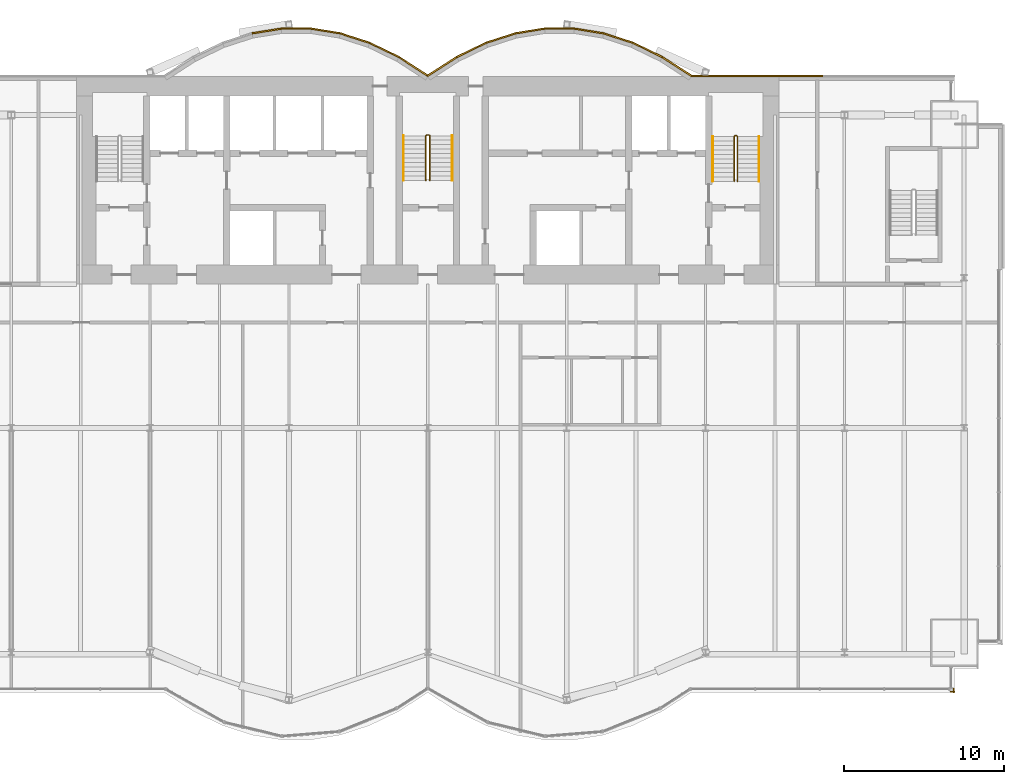
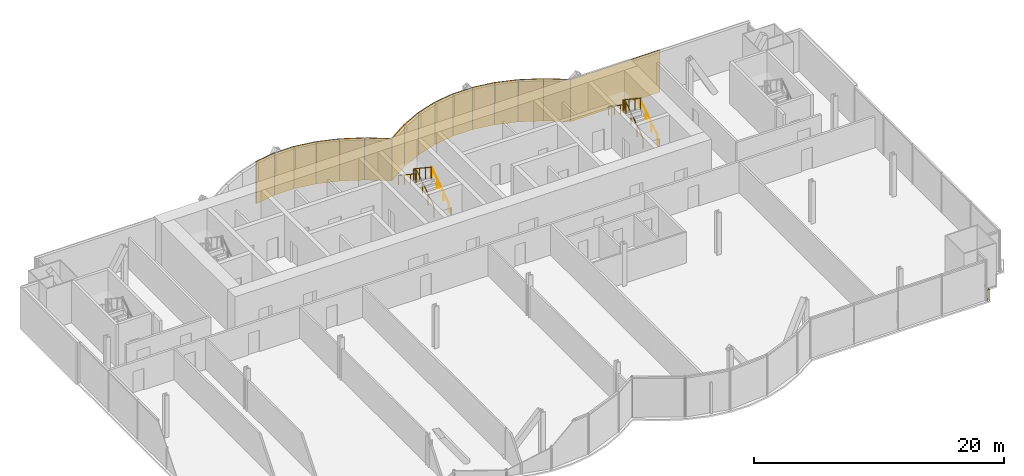
# One storey, part 20 of 21: 16 coverings, 7 railings.
"""IFC4 building model written with IfcOpenShell, lengths in metres."""

from ifc_helpers import new_model, si_unit, direction, frame, origin, origin_2d, place, context, subcontext, project, spatial, rectangle, circle, extrude, material, layer, layer_set, type_object, element, save


model = new_model("IFC4")

# Units and contexts
model_context = context("Model", 3, precision=1e-05, world=origin(), true_north=direction((0.0, 1.0)))
body_context = subcontext(model_context, "Body", "Model", "MODEL_VIEW")
ifc_project = project(units=[si_unit("LENGTHUNIT", "METRE"), si_unit("AREAUNIT", "SQUARE_METRE"), si_unit("VOLUMEUNIT", "CUBIC_METRE"), si_unit("PLANEANGLEUNIT", "RADIAN"), si_unit("MASSUNIT", "GRAM", prefix="KILO")], contexts=[model_context])

# Site, building, storey
site_placement = place(None, origin())
site = spatial("IfcSite", under=ifc_project, at=site_placement, CompositionType="ELEMENT")
building_placement = place(site_placement, origin())
building = spatial("IfcBuilding", under=site, at=building_placement, Name="Bicima Exchange Tower", CompositionType="ELEMENT")
storey_placement = place(building_placement, frame((0.0, 0.0, 98.10009765625)))
storey = spatial("IfcBuildingStorey", under=building, at=storey_placement, Name="L20", CompositionType="ELEMENT", Elevation=98.10009765625)

# Coverings
ifc_material_1 = material(Name="Bronze metal cladding")
ifc_layer_1 = layer(ifc_material_1, 0.004)
ifc_material_2 = material(Name="Ventilated cavity")
ifc_layer_2 = layer(ifc_material_2, 0.06)
ifc_material_3 = material(Name="Galvanised steel rail and mineral wool", Category="steel")
ifc_layer_3 = layer(ifc_material_3, 0.036)
ifc_layer_set = layer_set([ifc_layer_1, ifc_layer_2, ifc_layer_3], Name="Ventilated cavity")
covering_type = type_object("IfcCoveringType", Name="Bronze metal cladding panel 100", PredefinedType="CLADDING", material=ifc_layer_set)
covering_1_placement = place(storey_placement, frame((20.625, 0.050048828125, -0.150146484375), z_axis=(0.0, 0.0, 1.0), x_axis=(-1.0, 0.0, 0.0)))
element("IfcCovering", 1, at=covering_1_placement, inside=storey, type_object=covering_type, Name="Bronze cladding L20 1.2", PredefinedType="CLADDING", context=body_context, shape_type="SweptSolid", body=[
    extrude(rectangle(XDim=8.25, YDim=0.10009765625, at=origin_2d()), origin(), (0.0, 0.0, 1.0), 4.10009765625),
])
covering_2_placement = place(storey_placement, frame((15.610595703125, 0.634521484375, -0.150146484375), z_axis=(0.0, 0.0, 1.0), x_axis=(-0.839790466384, 0.542910648791, 0.0)))
element("IfcCovering", 2, at=covering_2_placement, inside=storey, type_object=covering_type, Name="Bronze cladding L20 2.1", PredefinedType="CLADDING", context=body_context, shape_type="SweptSolid", body=[
    extrude(rectangle(XDim=2.18310546875, YDim=0.10009765625, at=origin_2d()), origin(), (0.0, 0.0, 1.0), 4.10009765625),
])
covering_3_placement = place(storey_placement, frame((13.771728515625, 1.674560546875, -0.150146484375), z_axis=(0.0, 0.0, 1.0), x_axis=(-0.899818346812, 0.436264762204, 0.0)))
element("IfcCovering", 3, at=covering_3_placement, inside=storey, type_object=covering_type, Name="Bronze cladding L20 3.1", PredefinedType="CLADDING", context=body_context, shape_type="SweptSolid", body=[
    extrude(rectangle(XDim=2.03759765625, YDim=0.10009765625, at=origin_2d()), origin(), (0.0, 0.0, 1.0), 4.10009765625),
])
covering_4_placement = place(storey_placement, frame((11.931884765625, 2.41796875, -0.150146484375), z_axis=(0.0, 0.0, 1.0), x_axis=(-0.951524642381, 0.307572519808, 0.0)))
element("IfcCovering", 4, at=covering_4_placement, inside=storey, type_object=covering_type, Name="Bronze cladding L20 4.1", PredefinedType="CLADDING", context=body_context, shape_type="SweptSolid", body=[
    extrude(rectangle(XDim=1.9267578125, YDim=0.10009765625, at=origin_2d()), origin(), (0.0, 0.0, 1.0), 4.10009765625),
])
covering_5_placement = place(storey_placement, frame((10.09130859375, 2.8642578125, -0.150146484375), z_axis=(0.0, 0.0, 1.0), x_axis=(-0.987189786347, 0.159550386184, 0.0)))
element("IfcCovering", 5, at=covering_5_placement, inside=storey, type_object=covering_type, Name="Bronze cladding L20 5.1", PredefinedType="CLADDING", context=body_context, shape_type="SweptSolid", body=[
    extrude(rectangle(XDim=1.857177734375, YDim=0.10009765625, at=origin_2d()), origin(), (0.0, 0.0, 1.0), 4.10009765625),
])
covering_6_placement = place(storey_placement, frame((8.25, 3.012939453125, -0.150146484375), z_axis=(0.0, 0.0, 1.0), x_axis=(-1.0, 0.0, 0.0)))
element("IfcCovering", 6, at=covering_6_placement, inside=storey, type_object=covering_type, Name="Bronze cladding L20 6.1", PredefinedType="CLADDING", context=body_context, shape_type="SweptSolid", body=[
    extrude(rectangle(XDim=1.83349609375, YDim=0.10009765625, at=origin_2d()), origin(), (0.0, 0.0, 1.0), 4.10009765625),
])
covering_7_placement = place(storey_placement, frame((6.40869140625, 2.8642578125, -0.150146484375), z_axis=(0.0, 0.0, 1.0), x_axis=(-0.987189786347, -0.159550386184, 0.0)))
element("IfcCovering", 7, at=covering_7_placement, inside=storey, type_object=covering_type, Name="Bronze cladding L20 7.1", PredefinedType="CLADDING", context=body_context, shape_type="SweptSolid", body=[
    extrude(rectangle(XDim=1.857177734375, YDim=0.10009765625, at=origin_2d()), origin(), (0.0, 0.0, 1.0), 4.10009765625),
])
covering_8_placement = place(storey_placement, frame((4.568115234375, 2.41796875, -0.150146484375), z_axis=(0.0, 0.0, 1.0), x_axis=(-0.951524642381, -0.307572519808, 0.0)))
element("IfcCovering", 8, at=covering_8_placement, inside=storey, type_object=covering_type, Name="Bronze cladding L20 8.1", PredefinedType="CLADDING", context=body_context, shape_type="SweptSolid", body=[
    extrude(rectangle(XDim=1.9267578125, YDim=0.10009765625, at=origin_2d()), origin(), (0.0, 0.0, 1.0), 4.10009765625),
])
covering_9_placement = place(storey_placement, frame((2.728271484375, 1.674560546875, -0.150146484375), z_axis=(0.0, 0.0, 1.0), x_axis=(-0.899818346812, -0.436264762204, 0.0)))
element("IfcCovering", 9, at=covering_9_placement, inside=storey, type_object=covering_type, Name="Bronze cladding L20 9.1", PredefinedType="CLADDING", context=body_context, shape_type="SweptSolid", body=[
    extrude(rectangle(XDim=2.03759765625, YDim=0.10009765625, at=origin_2d()), origin(), (0.0, 0.0, 1.0), 4.10009765625),
])
for number, where, z_axis, x_axis, name in (
    (10, (0.889404296875, 0.634521484375, -0.150146484375), (0.0, 0.0, 1.0), (-0.839790466384, -0.542910648791, 0.0), "Bronze cladding L20 10.1"),
    (11, (-0.889404296875, 0.634521484375, -0.150146484375), (0.0, 0.0, 1.0), (-0.839790466384, 0.542910648791, 0.0), "Bronze cladding L20 11.1"),
):
    element("IfcCovering", number, at=place(storey_placement, frame(where, z_axis=z_axis, x_axis=x_axis)), inside=storey, type_object=covering_type, Name=name, PredefinedType="CLADDING", context=body_context, shape_type="SweptSolid", body=[
        extrude(rectangle(XDim=2.18310546875, YDim=0.10009765625, at=origin_2d()), origin(), (0.0, 0.0, 1.0), 4.10009765625),
    ])
covering_10_placement = place(storey_placement, frame((-2.728271484375, 1.674560546875, -0.150146484375), z_axis=(0.0, 0.0, 1.0), x_axis=(-0.899818346812, 0.436264762204, 0.0)))
element("IfcCovering", 12, at=covering_10_placement, inside=storey, type_object=covering_type, Name="Bronze cladding L20 12.1", PredefinedType="CLADDING", context=body_context, shape_type="SweptSolid", body=[
    extrude(rectangle(XDim=2.03759765625, YDim=0.10009765625, at=origin_2d()), origin(), (0.0, 0.0, 1.0), 4.10009765625),
])
covering_11_placement = place(storey_placement, frame((-4.568115234375, 2.41796875, -0.150146484375), z_axis=(0.0, 0.0, 1.0), x_axis=(-0.951524642381, 0.307572519808, 0.0)))
element("IfcCovering", 13, at=covering_11_placement, inside=storey, type_object=covering_type, Name="Bronze cladding L20 13.1", PredefinedType="CLADDING", context=body_context, shape_type="SweptSolid", body=[
    extrude(rectangle(XDim=1.9267578125, YDim=0.10009765625, at=origin_2d()), origin(), (0.0, 0.0, 1.0), 4.10009765625),
])
covering_12_placement = place(storey_placement, frame((-6.40869140625, 2.8642578125, -0.150146484375), z_axis=(0.0, 0.0, 1.0), x_axis=(-0.987189786347, 0.159550386184, 0.0)))
element("IfcCovering", 14, at=covering_12_placement, inside=storey, type_object=covering_type, Name="Bronze cladding L20 14.1", PredefinedType="CLADDING", context=body_context, shape_type="SweptSolid", body=[
    extrude(rectangle(XDim=1.857177734375, YDim=0.10009765625, at=origin_2d()), origin(), (0.0, 0.0, 1.0), 4.10009765625),
])
covering_13_placement = place(storey_placement, frame((-8.25, 3.012939453125, -0.150146484375), z_axis=(0.0, 0.0, 1.0), x_axis=(-1.0, 0.0, 0.0)))
element("IfcCovering", 15, at=covering_13_placement, inside=storey, type_object=covering_type, Name="Bronze cladding L20 15.1", PredefinedType="CLADDING", context=body_context, shape_type="SweptSolid", body=[
    extrude(rectangle(XDim=1.83349609375, YDim=0.10009765625, at=origin_2d()), origin(), (0.0, 0.0, 1.0), 4.10009765625),
])
covering_14_placement = place(storey_placement, frame((-10.09130859375, 2.8642578125, -0.150146484375), z_axis=(0.0, 0.0, 1.0), x_axis=(-0.987189786347, -0.159550386184, 0.0)))
element("IfcCovering", 16, at=covering_14_placement, inside=storey, type_object=covering_type, Name="Bronze cladding L20 16.1", PredefinedType="CLADDING", context=body_context, shape_type="SweptSolid", body=[
    extrude(rectangle(XDim=1.857177734375, YDim=0.10009765625, at=origin_2d()), origin(), (0.0, 0.0, 1.0), 4.10009765625),
])

# Railings
ifc_material_4 = material(Name="Stainless steel and bonded safety glass", Category="steel")
railing_type_1 = type_object("IfcRailingType", Name="Edge guard 1100", PredefinedType="GUARDRAIL", material=ifc_material_4)
railing_1_placement = place(storey_placement, frame((32.949951171875, -38.333984375, 0.0)))
element("IfcRailing", 17, at=railing_1_placement, inside=storey, type_object=railing_type_1, Name="Edge guard L20 94", PredefinedType="GUARDRAIL", context=body_context, shape_type="SweptSolid", body=[
    extrude(circle(Radius=0.02392578125, at=origin_2d()), frame((0.0, 0.0, 1.076171875), z_axis=(0.0, -1.0, 0.0), x_axis=(1.0, 0.0, 0.0)), (0.0, 0.0, 1.0), 0.25),
    extrude(circle(Radius=0.02392578125, at=origin_2d()), frame((0.0, -0.25, 1.076171875), z_axis=(0.707106781187, 0.707106781187, 0.0), x_axis=(-0.707106781187, 0.707106781187, 0.0)), (0.0, 0.0, 1.0), 0.07080078125),
    extrude(circle(Radius=0.02392578125, at=origin_2d()), frame((0.050048828125, -0.199951171875, 1.076171875), z_axis=(-1.0, 0.0, 0.0), x_axis=(0.0, -1.0, 0.0)), (0.0, 0.0, 1.0), 0.25),
    extrude(circle(Radius=0.02099609375, at=origin_2d()), origin(), (0.0, 0.0, 1.0), 1.052001953125),
    extrude(circle(Radius=0.02099609375, at=origin_2d()), frame((0.0, -0.25, 0.0)), (0.0, 0.0, 1.0), 1.052001953125),
    extrude(circle(Radius=0.02099609375, at=origin_2d()), frame((0.050048828125, -0.199951171875, 0.0)), (0.0, 0.0, 1.0), 1.052001953125),
    extrude(circle(Radius=0.02099609375, at=origin_2d()), frame((-0.199951171875, -0.199951171875, 0.0)), (0.0, 0.0, 1.0), 1.052001953125),
])
ifc_material_5 = material(Name="Stainless steel", Category="steel")
railing_type_2 = type_object("IfcRailingType", Name="Stair guard 1100", PredefinedType="GUARDRAIL", material=ifc_material_5)
railing_2_placement = place(storey_placement, frame((0.125, -6.5, 0.186279296875)))
element("IfcRailing", 18, at=railing_2_placement, inside=storey, type_object=railing_type_2, Name="L20 ST-C stair guard 1", PredefinedType="GUARDRAIL", context=body_context, shape_type="SweptSolid", body=[
    extrude(circle(Radius=0.02392578125, at=origin_2d()), frame((0.0, 0.0, 1.076171875), z_axis=(0.0, 0.832485552168, 0.554046753832), x_axis=(-1.0, 0.0, 0.0)), (0.0, 0.0, 1.0), 3.363525390625),
    extrude(circle(Radius=0.02392578125, at=origin_2d()), frame((0.0, 2.800048828125, 2.939453125), z_axis=(-0.707106781187, 0.707106781187, 0.0), x_axis=(-0.707106781187, -0.707106781187, 0.0)), (0.0, 0.0, 1.0), 0.07080078125),
    extrude(circle(Radius=0.02392578125, at=origin_2d()), frame((-0.050048828125, 2.85009765625, 2.939453125), z_axis=(-1.0, 0.0, 0.0), x_axis=(0.0, -1.0, 0.0)), (0.0, 0.0, 1.0), 0.14990234375),
    extrude(circle(Radius=0.02392578125, at=origin_2d()), frame((-0.199951171875, 2.85009765625, 2.939453125), z_axis=(-0.250869701741, -0.250869701741, 0.934948546978), x_axis=(0.707106781187, -0.707106781187, 0.0)), (0.0, 0.0, 1.0), 0.199462890625),
    extrude(circle(Radius=0.02392578125, at=origin_2d()), frame((-0.25, 2.800048828125, 3.1259765625), z_axis=(0.0, -0.832485552168, 0.554046753832), x_axis=(1.0, 0.0, 0.0)), (0.0, 0.0, 1.0), 3.363525390625),
    extrude(circle(Radius=0.02099609375, at=origin_2d()), origin(), (0.0, 0.0, 1.0), 1.052001953125),
    extrude(circle(Radius=0.02099609375, at=origin_2d()), frame((0.0, 0.933349609375, 0.62109375)), (0.0, 0.0, 1.0), 1.052001953125),
    extrude(circle(Radius=0.02099609375, at=origin_2d()), frame((0.0, 1.86669921875, 1.242431640625)), (0.0, 0.0, 1.0), 1.052001953125),
    extrude(circle(Radius=0.02099609375, at=origin_2d()), frame((0.0, 2.800048828125, 1.863525390625)), (0.0, 0.0, 1.0), 1.052001953125),
    extrude(circle(Radius=0.02099609375, at=origin_2d()), frame((-0.050048828125, 2.85009765625, 1.863525390625)), (0.0, 0.0, 1.0), 1.052001953125),
    extrude(circle(Radius=0.02099609375, at=origin_2d()), frame((-0.199951171875, 2.85009765625, 1.863525390625)), (0.0, 0.0, 1.0), 1.052001953125),
    extrude(circle(Radius=0.02099609375, at=origin_2d()), frame((-0.25, 2.800048828125, 2.050048828125)), (0.0, 0.0, 1.0), 1.052001953125),
    extrude(circle(Radius=0.02099609375, at=origin_2d()), frame((-0.25, 1.86669921875, 2.671142578125)), (0.0, 0.0, 1.0), 1.052001953125),
    extrude(circle(Radius=0.02099609375, at=origin_2d()), frame((-0.25, 0.933349609375, 3.29248046875)), (0.0, 0.0, 1.0), 1.052001953125),
    extrude(circle(Radius=0.02099609375, at=origin_2d()), frame((-0.25, 0.0, 3.91357421875)), (0.0, 0.0, 1.0), 1.052001953125),
])
railing_3_placement = place(storey_placement, frame((19.39990234375, -6.550048828125, 0.186279296875)))
element("IfcRailing", 19, at=railing_3_placement, inside=storey, type_object=railing_type_2, Name="L20 ST-E stair guard 1", PredefinedType="GUARDRAIL", context=body_context, shape_type="SweptSolid", body=[
    extrude(circle(Radius=0.02392578125, at=origin_2d()), frame((0.0, 0.0, 1.076171875), z_axis=(0.0, 0.832485552168, 0.554046753832), x_axis=(-1.0, 0.0, 0.0)), (0.0, 0.0, 1.0), 3.363525390625),
    extrude(circle(Radius=0.02392578125, at=origin_2d()), frame((0.0, 2.800048828125, 2.939453125), z_axis=(-0.705375805398, 0.708833529934, 0.0), x_axis=(-0.708833529934, -0.705375805398, 0.0)), (0.0, 0.0, 1.0), 0.070556640625),
    extrude(circle(Radius=0.02392578125, at=origin_2d()), frame((-0.0498046875, 2.85009765625, 2.939453125), z_axis=(-1.0, 0.0, 0.0), x_axis=(0.0, -1.0, 0.0)), (0.0, 0.0, 1.0), 0.10009765625),
    extrude(circle(Radius=0.02392578125, at=origin_2d()), frame((-0.14990234375, 2.85009765625, 2.939453125), z_axis=(-0.250869701741, -0.250869701741, 0.934948546978), x_axis=(0.707106781187, -0.707106781187, 0.0)), (0.0, 0.0, 1.0), 0.199462890625),
    extrude(circle(Radius=0.02392578125, at=origin_2d()), frame((-0.199951171875, 2.800048828125, 3.1259765625), z_axis=(0.0, -0.832485552168, 0.554046753832), x_axis=(1.0, 0.0, 0.0)), (0.0, 0.0, 1.0), 3.363525390625),
    extrude(circle(Radius=0.02099609375, at=origin_2d()), origin(), (0.0, 0.0, 1.0), 1.052001953125),
    extrude(circle(Radius=0.02099609375, at=origin_2d()), frame((0.0, 0.933349609375, 0.62109375)), (0.0, 0.0, 1.0), 1.052001953125),
    extrude(circle(Radius=0.02099609375, at=origin_2d()), frame((0.0, 1.86669921875, 1.242431640625)), (0.0, 0.0, 1.0), 1.052001953125),
    extrude(circle(Radius=0.02099609375, at=origin_2d()), frame((0.0, 2.800048828125, 1.863525390625)), (0.0, 0.0, 1.0), 1.052001953125),
    extrude(circle(Radius=0.02099609375, at=origin_2d()), frame((-0.0498046875, 2.85009765625, 1.863525390625)), (0.0, 0.0, 1.0), 1.052001953125),
    extrude(circle(Radius=0.02099609375, at=origin_2d()), frame((-0.14990234375, 2.85009765625, 1.863525390625)), (0.0, 0.0, 1.0), 1.052001953125),
    extrude(circle(Radius=0.02099609375, at=origin_2d()), frame((-0.199951171875, 2.800048828125, 2.050048828125)), (0.0, 0.0, 1.0), 1.052001953125),
    extrude(circle(Radius=0.02099609375, at=origin_2d()), frame((-0.199951171875, 1.86669921875, 2.671142578125)), (0.0, 0.0, 1.0), 1.052001953125),
    extrude(circle(Radius=0.02099609375, at=origin_2d()), frame((-0.199951171875, 0.933349609375, 3.29248046875)), (0.0, 0.0, 1.0), 1.052001953125),
    extrude(circle(Radius=0.02099609375, at=origin_2d()), frame((-0.199951171875, 0.0, 3.91357421875)), (0.0, 0.0, 1.0), 1.052001953125),
])
railing_type_3 = type_object("IfcRailingType", Name="Stair handrail 900", PredefinedType="HANDRAIL", material=ifc_material_5)
railing_4_placement = place(storey_placement, frame((1.52490234375, -6.5, 0.186279296875)))
element("IfcRailing", 20, at=railing_4_placement, inside=storey, type_object=railing_type_3, Name="L20 ST-C stair handrail 1", PredefinedType="HANDRAIL", context=body_context, shape_type="SweptSolid", body=[
    extrude(circle(Radius=0.02392578125, at=origin_2d()), frame((0.0, 0.0, 0.8759765625), z_axis=(0.0, 0.832485552168, 0.554046753832), x_axis=(-1.0, 0.0, 0.0)), (0.0, 0.0, 1.0), 3.363525390625),
    extrude(circle(Radius=0.02099609375, at=origin_2d()), origin(), (0.0, 0.0, 1.0), 0.851806640625),
    extrude(circle(Radius=0.02099609375, at=origin_2d()), frame((0.0, 0.933349609375, 0.62109375)), (0.0, 0.0, 1.0), 0.851806640625),
    extrude(circle(Radius=0.02099609375, at=origin_2d()), frame((0.0, 1.86669921875, 1.242431640625)), (0.0, 0.0, 1.0), 0.851806640625),
    extrude(circle(Radius=0.02099609375, at=origin_2d()), frame((0.0, 2.800048828125, 1.863525390625)), (0.0, 0.0, 1.0), 0.851806640625),
])
railing_5_placement = place(storey_placement, frame((-1.52490234375, -3.699951171875, 2.276611328125)))
element("IfcRailing", 21, at=railing_5_placement, inside=storey, type_object=railing_type_3, Name="L20 ST-C stair handrail 2", PredefinedType="HANDRAIL", context=body_context, shape_type="SweptSolid", body=[
    extrude(circle(Radius=0.02392578125, at=origin_2d()), frame((0.0, 0.0, 0.8759765625), z_axis=(0.0, -0.832452072856, 0.554097055034), x_axis=(1.0, 0.0, 0.0)), (0.0, 0.0, 1.0), 3.363525390625),
    extrude(circle(Radius=0.02099609375, at=origin_2d()), origin(), (0.0, 0.0, 1.0), 0.851806640625),
    extrude(circle(Radius=0.02099609375, at=origin_2d()), frame((0.0, -0.933349609375, 0.621337890625)), (0.0, 0.0, 1.0), 0.851806640625),
    extrude(circle(Radius=0.02099609375, at=origin_2d()), frame((0.0, -1.86669921875, 1.242431640625)), (0.0, 0.0, 1.0), 0.851806640625),
    extrude(circle(Radius=0.02099609375, at=origin_2d()), frame((0.0, -2.800048828125, 1.86376953125)), (0.0, 0.0, 1.0), 0.851806640625),
])
railing_6_placement = place(storey_placement, frame((20.75, -6.550048828125, 0.186279296875)))
element("IfcRailing", 22, at=railing_6_placement, inside=storey, type_object=railing_type_3, Name="L20 ST-E stair handrail 1", PredefinedType="HANDRAIL", context=body_context, shape_type="SweptSolid", body=[
    extrude(circle(Radius=0.02392578125, at=origin_2d()), frame((0.0, 0.0, 0.8759765625), z_axis=(0.0, 0.832485552168, 0.554046753832), x_axis=(-1.0, 0.0, 0.0)), (0.0, 0.0, 1.0), 3.363525390625),
    extrude(circle(Radius=0.02099609375, at=origin_2d()), origin(), (0.0, 0.0, 1.0), 0.851806640625),
    extrude(circle(Radius=0.02099609375, at=origin_2d()), frame((0.0, 0.933349609375, 0.62109375)), (0.0, 0.0, 1.0), 0.851806640625),
    extrude(circle(Radius=0.02099609375, at=origin_2d()), frame((0.0, 1.86669921875, 1.242431640625)), (0.0, 0.0, 1.0), 0.851806640625),
    extrude(circle(Radius=0.02099609375, at=origin_2d()), frame((0.0, 2.800048828125, 1.863525390625)), (0.0, 0.0, 1.0), 0.851806640625),
])
railing_7_placement = place(storey_placement, frame((17.85009765625, -3.75, 2.276611328125)))
element("IfcRailing", 23, at=railing_7_placement, inside=storey, type_object=railing_type_3, Name="L20 ST-E stair handrail 2", PredefinedType="HANDRAIL", context=body_context, shape_type="SweptSolid", body=[
    extrude(circle(Radius=0.02392578125, at=origin_2d()), frame((0.0, 0.0, 0.8759765625), z_axis=(0.0, -0.832452072856, 0.554097055034), x_axis=(1.0, 0.0, 0.0)), (0.0, 0.0, 1.0), 3.363525390625),
    extrude(circle(Radius=0.02099609375, at=origin_2d()), origin(), (0.0, 0.0, 1.0), 0.851806640625),
    extrude(circle(Radius=0.02099609375, at=origin_2d()), frame((0.0, -0.933349609375, 0.621337890625)), (0.0, 0.0, 1.0), 0.851806640625),
    extrude(circle(Radius=0.02099609375, at=origin_2d()), frame((0.0, -1.86669921875, 1.242431640625)), (0.0, 0.0, 1.0), 0.851806640625),
    extrude(circle(Radius=0.02099609375, at=origin_2d()), frame((0.0, -2.800048828125, 1.86376953125)), (0.0, 0.0, 1.0), 0.851806640625),
])

save(model, "model.ifc")
